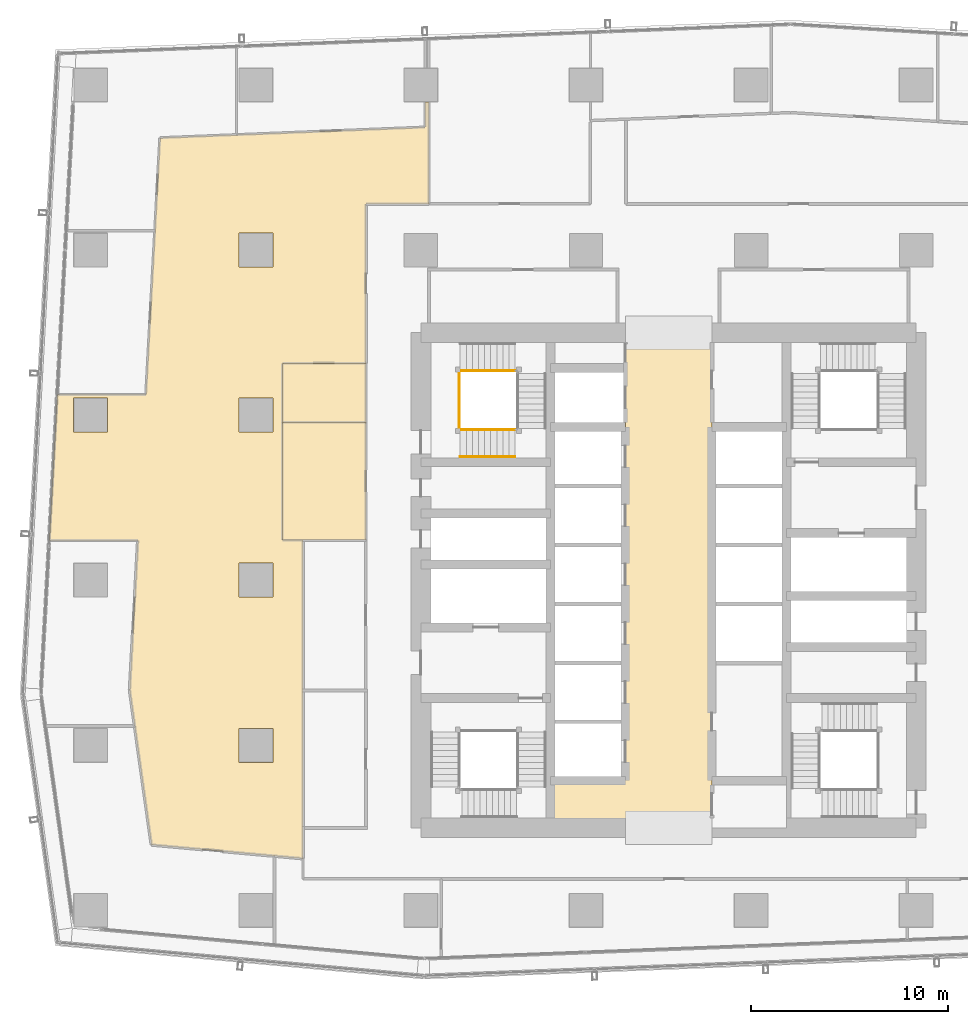
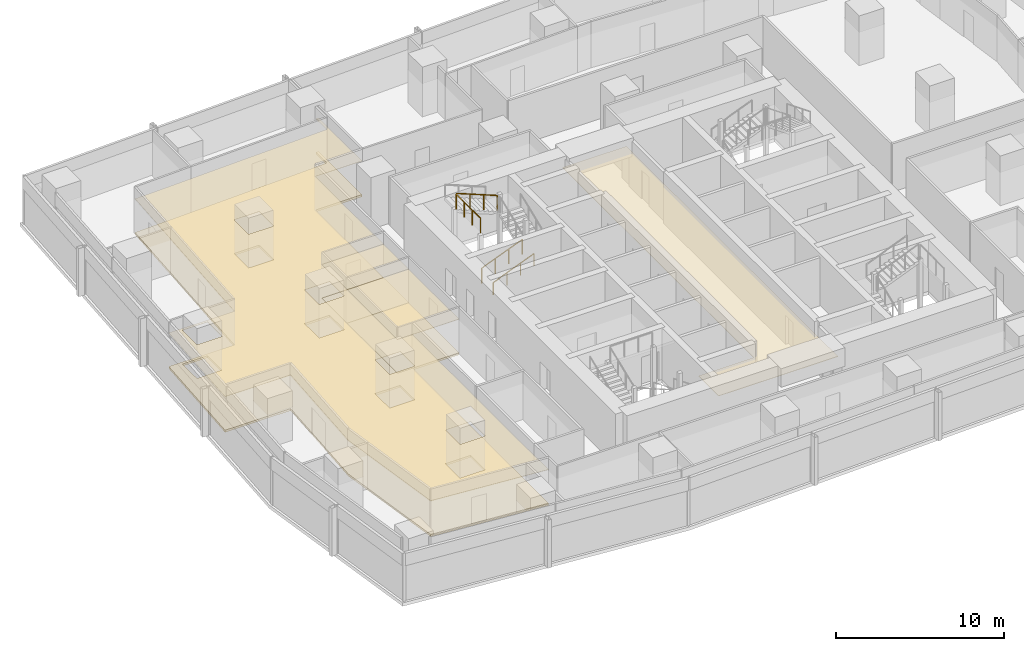
# One storey, part 35 of 40: 7 coverings, 4 railings.
"""IFC4 building model written with IfcOpenShell, lengths in metres."""

from ifc_helpers import new_model, si_unit, direction, frame, origin, origin_2d, place, context, subcontext, project, spatial, polyline, circle, outline, extrude, material, layer, layer_set, type_object, element, save


model = new_model("IFC4")

# Units and contexts
model_context = context("Model", 3, precision=1e-05, world=origin(), true_north=direction((0.0, 1.0)))
body_context = subcontext(model_context, "Body", "Model", "MODEL_VIEW")
ifc_project = project(units=[si_unit("LENGTHUNIT", "METRE"), si_unit("AREAUNIT", "SQUARE_METRE"), si_unit("VOLUMEUNIT", "CUBIC_METRE"), si_unit("PLANEANGLEUNIT", "RADIAN"), si_unit("MASSUNIT", "GRAM", prefix="KILO")], contexts=[model_context])

# Site, building, storey
site_placement = place(None, origin())
site = spatial("IfcSite", under=ifc_project, at=site_placement, CompositionType="ELEMENT")
building_placement = place(site_placement, origin())
building = spatial("IfcBuilding", under=site, at=building_placement, Name="Rekha Terrace Tower", CompositionType="ELEMENT")
storey_placement = place(building_placement, frame((0.0, 0.0, 102.800048828125)))
storey = spatial("IfcBuildingStorey", under=building, at=storey_placement, Name="L25", CompositionType="ELEMENT", Elevation=102.800048828125)

# Coverings
ifc_material_1 = material(Name="Mineral fibre tile in exposed grid", Category="finish")
ifc_layer_1 = layer(ifc_material_1, 0.02001953125)
ifc_layer_set_1 = layer_set([ifc_layer_1], Name="Mineral fibre tile in exposed grid")
covering_type_1 = type_object("IfcCoveringType", Name="CL1 600x1200 office grid ceiling", PredefinedType="CEILING", material=ifc_layer_set_1)
covering_1_placement = place(storey_placement, frame((0.0, 0.0, 2.579833984375)))
element("IfcCovering", 1, at=covering_1_placement, inside=storey, type_object=covering_type_1, Name="Ceiling L25-16", PredefinedType="CEILING", context=body_context, shape_type="SweptSolid", body=[
    extrude(outline(polyline([(22.39990234375, 41.636962890625), (18.14990234375, 41.636962890625), (18.14990234375, 35.637939453125), (22.39990234375, 35.637939453125), (22.39990234375, 41.636962890625)])), origin(), (0.0, 0.0, 1.0), 0.02001953125),
])
covering_2_placement = place(storey_placement, frame((0.0, 0.0, 2.579833984375)))
element("IfcCovering", 2, at=covering_2_placement, inside=storey, type_object=covering_type_1, Name="Ceiling L25-17", PredefinedType="CEILING", context=body_context, shape_type="SweptSolid", body=[
    extrude(outline(polyline([(22.39990234375, 44.636962890625), (18.14990234375, 44.636962890625), (18.14990234375, 41.636962890625), (22.39990234375, 41.636962890625), (22.39990234375, 44.636962890625)])), origin(), (0.0, 0.0, 1.0), 0.02001953125),
])
covering_3_placement = place(storey_placement, frame((0.0, 0.0, 2.579833984375)))
element("IfcCovering", 3, at=covering_3_placement, inside=storey, type_object=covering_type_1, Name="Ceiling L25-O2", PredefinedType="CEILING", context=body_context, shape_type="SweptSolid", body=[
    extrude(outline(polyline([(10.381103515625, 28.006103515625), (10.638916015625, 26.177001953125), (11.489990234375, 20.138916015625), (17.7529296875, 19.570068359375), (19.199951171875, 19.43896484375), (19.199951171875, 35.636962890625), (18.14990234375, 35.636962890625), (18.14990234375, 44.636962890625), (22.39990234375, 44.636962890625), (22.39990234375, 52.75), (25.60009765625, 52.75), (25.60009765625, 57.93505859375), (25.4130859375, 57.93505859375), (25.4130859375, 56.64990234375), (15.799072265625, 56.263916015625), (11.922119140625, 56.10888671875), (11.6630859375, 51.3779296875), (11.2060546875, 43.0458984375), (6.698974609375, 43.0458984375), (6.29296875, 35.634033203125), (10.800048828125, 35.634033203125), (10.381103515625, 28.006103515625)]), holes=[polyline([(17.6650390625, 26.06494140625), (17.6650390625, 24.3349609375), (15.93505859375, 24.3349609375), (15.93505859375, 26.06494140625), (17.6650390625, 26.06494140625)]), polyline([(17.6650390625, 34.465087890625), (17.6650390625, 32.735107421875), (15.93505859375, 32.735107421875), (15.93505859375, 34.465087890625), (17.6650390625, 34.465087890625)]), polyline([(17.6650390625, 41.135009765625), (15.93505859375, 41.135009765625), (15.93505859375, 42.864990234375), (17.6650390625, 42.864990234375), (17.6650390625, 41.135009765625)]), polyline([(17.6650390625, 49.534912109375), (15.93505859375, 49.534912109375), (15.93505859375, 51.264892578125), (17.6650390625, 51.264892578125), (17.6650390625, 49.534912109375)]), polyline([(9.264892578125, 41.135009765625), (7.534912109375, 41.135009765625), (7.534912109375, 42.864990234375), (9.264892578125, 42.864990234375), (9.264892578125, 41.135009765625)])]), origin(), (0.0, 0.0, 1.0), 0.02001953125),
])
ifc_material_2 = material(Name="Powder-coated aluminium pan", Category="aluminium")
ifc_layer_2 = layer(ifc_material_2, 0.030029296875)
ifc_layer_set_2 = layer_set([ifc_layer_2], Name="Powder-coated aluminium pan")
covering_type_2 = type_object("IfcCoveringType", Name="CL3 300x1200 metal pan ceiling", PredefinedType="CEILING", material=ifc_layer_set_2)
covering_4_placement = place(storey_placement, frame((0.0, 0.0, 2.570068359375)))
element("IfcCovering", 4, at=covering_4_placement, inside=storey, type_object=covering_type_2, Name="Ceiling L25-LOBBY", PredefinedType="CEILING", context=body_context, shape_type="SweptSolid", body=[
    extrude(outline(polyline([(35.60009765625, 46.199951171875), (35.60009765625, 23.39990234375), (31.800048828125, 23.39990234375), (31.800048828125, 21.0), (40.0, 21.0), (40.0, 46.199951171875), (35.60009765625, 46.199951171875)])), origin(), (0.0, 0.0, 1.0), 0.02978515625),
])

# Railings
ifc_material_3 = material(Name="Stainless steel balustrade", Category="steel")
railing_type_1 = type_object("IfcRailingType", Name="GR1 1100 stair guard", PredefinedType="GUARDRAIL", material=ifc_material_3)
railing_1_placement = place(storey_placement, frame((27.199951171875, 41.264892578125, 0.125)))
element("IfcRailing", 5, at=railing_1_placement, inside=storey, type_object=railing_type_1, Name="Guard ST4 L25 flight 1", PredefinedType="GUARDRAIL", context=body_context, shape_type="SweptSolid", body=[
    extrude(circle(Radius=0.02392578125, at=origin_2d()), frame((0.0, 0.0, 1.076171875), z_axis=(0.927443287984, 0.0, 0.373963831907), x_axis=(0.0, 1.0, 0.0)), (0.0, 0.0, 1.0), 3.00830078125),
    extrude(circle(Radius=0.02099609375, at=origin_2d()), origin(), (0.0, 0.0, 1.0), 1.052001953125),
    extrude(circle(Radius=0.02099609375, at=origin_2d()), frame((0.929931640625, 0.0, 0.375)), (0.0, 0.0, 1.0), 1.052001953125),
    extrude(circle(Radius=0.02099609375, at=origin_2d()), frame((1.860107421875, 0.0, 0.75)), (0.0, 0.0, 1.0), 1.052001953125),
    extrude(circle(Radius=0.02099609375, at=origin_2d()), frame((2.7900390625, 0.0, 1.125)), (0.0, 0.0, 1.0), 1.052001953125),
])
railing_2_placement = place(storey_placement, frame((29.989990234375, 44.260009765625, 2.625)))
element("IfcRailing", 6, at=railing_2_placement, inside=storey, type_object=railing_type_1, Name="Guard ST4 L25 flight 3", PredefinedType="GUARDRAIL", context=body_context, shape_type="SweptSolid", body=[
    extrude(circle(Radius=0.02392578125, at=origin_2d()), frame((0.0, 0.0, 1.076171875), z_axis=(-0.927443287984, 0.0, 0.373963831907), x_axis=(0.0, -1.0, 0.0)), (0.0, 0.0, 1.0), 3.00830078125),
    extrude(circle(Radius=0.02099609375, at=origin_2d()), origin(), (0.0, 0.0, 1.0), 1.052001953125),
    extrude(circle(Radius=0.02099609375, at=origin_2d()), frame((-0.929931640625, 0.0, 0.375)), (0.0, 0.0, 1.0), 1.052001953125),
    extrude(circle(Radius=0.02099609375, at=origin_2d()), frame((-1.860107421875, 0.0, 0.75)), (0.0, 0.0, 1.0), 1.052001953125),
    extrude(circle(Radius=0.02099609375, at=origin_2d()), frame((-2.7900390625, 0.0, 1.125)), (0.0, 0.0, 1.0), 1.052001953125),
])
railing_3_placement = place(storey_placement, frame((27.139892578125, 41.324951171875, 3.75)))
element("IfcRailing", 7, at=railing_3_placement, inside=storey, type_object=railing_type_1, Name="Guard ST4 L25 landing 4", PredefinedType="GUARDRAIL", context=body_context, shape_type="SweptSolid", body=[
    extrude(circle(Radius=0.02392578125, at=origin_2d()), frame((0.0, 0.0, 1.076171875), z_axis=(0.0, 1.0, 0.0), x_axis=(-1.0, 0.0, 0.0)), (0.0, 0.0, 1.0), 2.875),
    extrude(circle(Radius=0.02099609375, at=origin_2d()), origin(), (0.0, 0.0, 1.0), 1.052001953125),
    extrude(circle(Radius=0.02099609375, at=origin_2d()), frame((0.0, 0.958251953125, 0.0)), (0.0, 0.0, 1.0), 1.052001953125),
    extrude(circle(Radius=0.02099609375, at=origin_2d()), frame((0.0, 1.916748046875, 0.0)), (0.0, 0.0, 1.0), 1.052001953125),
    extrude(circle(Radius=0.02099609375, at=origin_2d()), frame((0.0, 2.875, 0.0)), (0.0, 0.0, 1.0), 1.052001953125),
])
ifc_material_4 = material(Name="Stainless steel tube", Category="steel")
railing_type_2 = type_object("IfcRailingType", Name="HR1 900 stair handrail", PredefinedType="HANDRAIL", material=ifc_material_4)
railing_4_placement = place(storey_placement, frame((27.199951171875, 39.885009765625, 0.125)))
element("IfcRailing", 8, at=railing_4_placement, inside=storey, type_object=railing_type_2, Name="Handrail ST4 L25 flight 1", PredefinedType="HANDRAIL", context=body_context, shape_type="SweptSolid", body=[
    extrude(circle(Radius=0.02392578125, at=origin_2d()), frame((0.0, 0.0, 0.8759765625), z_axis=(0.927443287984, 0.0, 0.373963831907), x_axis=(0.0, 1.0, 0.0)), (0.0, 0.0, 1.0), 3.00830078125),
    extrude(circle(Radius=0.02099609375, at=origin_2d()), origin(), (0.0, 0.0, 1.0), 0.851806640625),
    extrude(circle(Radius=0.02099609375, at=origin_2d()), frame((0.929931640625, 0.0, 0.375)), (0.0, 0.0, 1.0), 0.851806640625),
    extrude(circle(Radius=0.02099609375, at=origin_2d()), frame((1.860107421875, 0.0, 0.75)), (0.0, 0.0, 1.0), 0.851806640625),
    extrude(circle(Radius=0.02099609375, at=origin_2d()), frame((2.7900390625, 0.0, 1.125)), (0.0, 0.0, 1.0), 0.851806640625),
])

# Coverings
ifc_material_5 = material(Name="Calcium sulphate panels on steel pedestals", Category="steel")
ifc_layer_3 = layer(ifc_material_5, 0.14990234375)
ifc_layer_set_3 = layer_set([ifc_layer_3], Name="Calcium sulphate panels on steel pedestals")
covering_type_3 = type_object("IfcCoveringType", Name="RF1 150 raised access floor", PredefinedType="FLOORING", material=ifc_layer_set_3)
covering_5_placement = place(storey_placement, origin())
element("IfcCovering", 9, at=covering_5_placement, inside=storey, type_object=covering_type_3, Name="Raised floor L25-16", PredefinedType="FLOORING", context=body_context, shape_type="SweptSolid", body=[
    extrude(outline(polyline([(22.39990234375, 41.636962890625), (18.14990234375, 41.636962890625), (18.14990234375, 35.637939453125), (22.39990234375, 35.637939453125), (22.39990234375, 41.636962890625)])), origin(), (0.0, 0.0, 1.0), 0.14990234375),
])
covering_6_placement = place(storey_placement, origin())
element("IfcCovering", 10, at=covering_6_placement, inside=storey, type_object=covering_type_3, Name="Raised floor L25-17", PredefinedType="FLOORING", context=body_context, shape_type="SweptSolid", body=[
    extrude(outline(polyline([(22.39990234375, 44.636962890625), (18.14990234375, 44.636962890625), (18.14990234375, 41.636962890625), (22.39990234375, 41.636962890625), (22.39990234375, 44.636962890625)])), origin(), (0.0, 0.0, 1.0), 0.14990234375),
])
covering_7_placement = place(storey_placement, origin())
element("IfcCovering", 11, at=covering_7_placement, inside=storey, type_object=covering_type_3, Name="Raised floor L25-O2", PredefinedType="FLOORING", context=body_context, shape_type="SweptSolid", body=[
    extrude(outline(polyline([(10.381103515625, 28.006103515625), (10.638916015625, 26.177001953125), (11.489990234375, 20.138916015625), (17.7529296875, 19.570068359375), (19.199951171875, 19.43896484375), (19.199951171875, 35.636962890625), (18.14990234375, 35.636962890625), (18.14990234375, 44.636962890625), (22.39990234375, 44.636962890625), (22.39990234375, 52.75), (25.60009765625, 52.75), (25.60009765625, 57.93505859375), (25.4130859375, 57.93505859375), (25.4130859375, 56.64990234375), (15.799072265625, 56.263916015625), (11.922119140625, 56.10888671875), (11.6630859375, 51.3779296875), (11.2060546875, 43.0458984375), (6.698974609375, 43.0458984375), (6.29296875, 35.634033203125), (10.800048828125, 35.634033203125), (10.381103515625, 28.006103515625)]), holes=[polyline([(17.6650390625, 26.06494140625), (17.6650390625, 24.3349609375), (15.93505859375, 24.3349609375), (15.93505859375, 26.06494140625), (17.6650390625, 26.06494140625)]), polyline([(17.6650390625, 34.465087890625), (17.6650390625, 32.735107421875), (15.93505859375, 32.735107421875), (15.93505859375, 34.465087890625), (17.6650390625, 34.465087890625)]), polyline([(17.6650390625, 41.135009765625), (15.93505859375, 41.135009765625), (15.93505859375, 42.864990234375), (17.6650390625, 42.864990234375), (17.6650390625, 41.135009765625)]), polyline([(17.6650390625, 49.534912109375), (15.93505859375, 49.534912109375), (15.93505859375, 51.264892578125), (17.6650390625, 51.264892578125), (17.6650390625, 49.534912109375)]), polyline([(9.264892578125, 41.135009765625), (7.534912109375, 41.135009765625), (7.534912109375, 42.864990234375), (9.264892578125, 42.864990234375), (9.264892578125, 41.135009765625)])]), origin(), (0.0, 0.0, 1.0), 0.14990234375),
])

save(model, "model.ifc")
